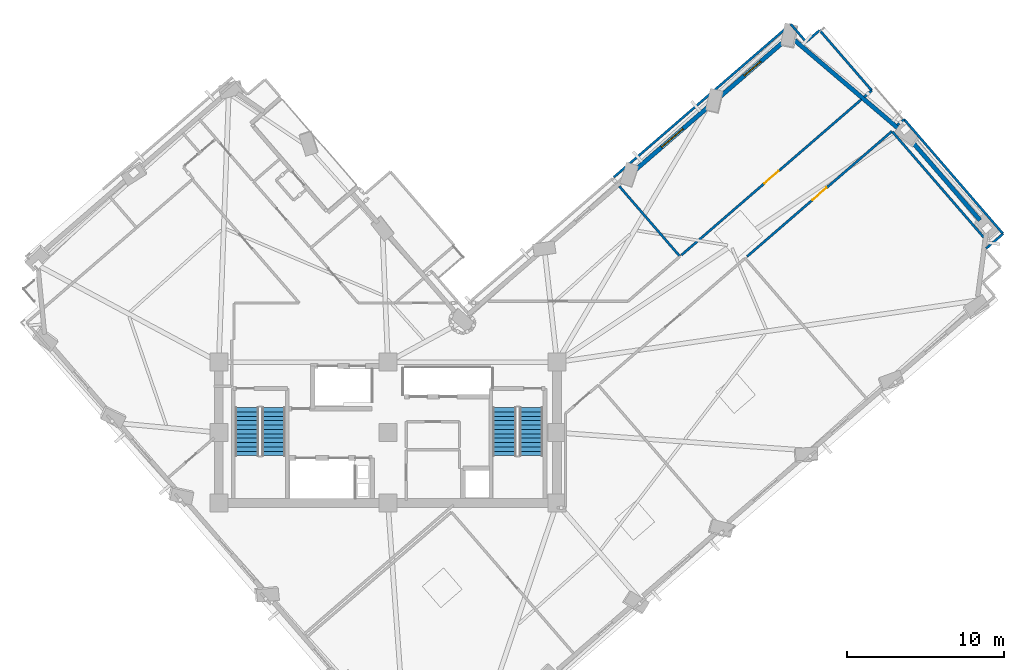
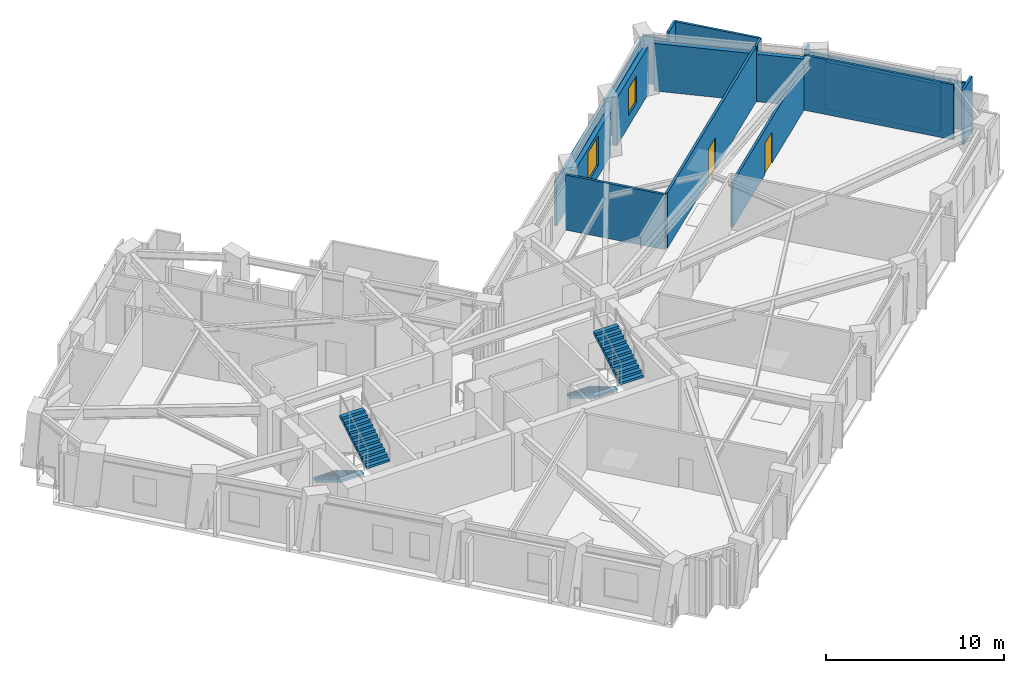
# One storey, part 9 of 14: 16 walls, 4 stair flights, 2 doors, 2 windows, 4 openings, 2 elements without a shape of their own.
"""IFC4 building model written with IfcOpenShell, lengths in metres."""

from ifc_helpers import new_model, si_unit, direction, frame, frame_2d, origin, place, context, subcontext, project, spatial, polyline, rectangle, outline, extrude, material, layer, layer_set, type_object, element, fill, aggregate, save


model = new_model("IFC4")

# Units and contexts
model_context = context("Model", 3, precision=1e-05, world=origin(), true_north=direction((0.0, 1.0)))
body_context = subcontext(model_context, "Body", "Model", "MODEL_VIEW")
ifc_project = project(units=[si_unit("LENGTHUNIT", "METRE"), si_unit("AREAUNIT", "SQUARE_METRE"), si_unit("VOLUMEUNIT", "CUBIC_METRE"), si_unit("PLANEANGLEUNIT", "RADIAN"), si_unit("MASSUNIT", "GRAM", prefix="KILO")], contexts=[model_context])

# Site, building, storey
site_placement = place(None, origin())
site = spatial("IfcSite", under=ifc_project, at=site_placement, CompositionType="ELEMENT")
building_placement = place(site_placement, origin())
building = spatial("IfcBuilding", under=site, at=building_placement, Name="Gaonmaruhae Medical Tower", CompositionType="ELEMENT")
storey_placement = place(building_placement, frame((0.0, 0.0, 197.800048828125)))
storey = spatial("IfcBuildingStorey", under=building, at=storey_placement, Name="L47", CompositionType="ELEMENT", Elevation=197.800048828125)

# Walls
ifc_material_1 = material(Name="Precast concrete C45/55", Category="concrete")
ifc_layer_1 = layer(ifc_material_1, 0.280029296875)
ifc_layer_set_1 = layer_set([ifc_layer_1], Name="Precast concrete C45/55")
wall_type_1 = type_object("IfcWallType", Name="EW-280 Upper Precast Masonry-Frame Facade Wall", PredefinedType="SOLIDWALL", material=ifc_layer_set_1)
wall_1_placement = place(storey_placement, frame((58.156494140625, 31.02978515625, 0.0), z_axis=(0.0, 0.0, 1.0), x_axis=(0.654086255928, -0.756419969201, 0.0)))
element("IfcWall", 1, at=wall_1_placement, inside=storey, type_object=wall_type_1, Name="L47 Precast Masonry-Frame Wall E01-E02", PredefinedType="SOLIDWALL", context=body_context, shape_type="SweptSolid", body=[
    extrude(rectangle(XDim=6.83984375, YDim=0.280029296875, at=frame_2d((3.419921875, 0.0))), origin(), (0.0, 0.0, 1.0), 3.264892578125),
])
wall_2_placement = place(storey_placement, frame((50.7275390625, 37.403564453125, 0.0), z_axis=(0.0, 0.0, 1.0), x_axis=(0.761999294939, -0.647577852086, 0.0)))
element("IfcWall", 2, at=wall_2_placement, inside=storey, type_object=wall_type_1, Name="L47 Precast Masonry-Frame Wall E02-E03", PredefinedType="SOLIDWALL", context=body_context, shape_type="SweptSolid", body=[
    extrude(rectangle(XDim=8.837890625, YDim=0.280029296875, at=frame_2d((4.4189453125, 0.0))), origin(), (0.0, 0.0, 1.0), 3.264892578125),
])

# Wall, opening, window
wall_3_placement = place(storey_placement, frame((46.049560546875, 33.780517578125, 0.0), z_axis=(0.0, 0.0, 1.0), x_axis=(0.756433845173, 0.654070208675, 0.0)))
wall_3 = element("IfcWall", 3, at=wall_3_placement, inside=storey, type_object=wall_type_1, Name="L47 Precast Masonry-Frame Wall E03-EN01", PredefinedType="SOLIDWALL", context=body_context, shape_type="SweptSolid", body=[
    extrude(rectangle(XDim=5.404541015625, YDim=0.280029296875, at=frame_2d((2.7021484375, 0.0))), origin(), (0.0, 0.0, 1.0), 3.264892578125),
])
opening_1_placement = place(wall_3_placement, frame((1.998046875, 0.0, 0.75)))
opening_1 = element("IfcOpeningElement", 4, at=opening_1_placement, cuts=wall_3, Name="Opening WN-03", PredefinedType="OPENING", context=body_context, shape_type="SweptSolid", body=[
    extrude(rectangle(XDim=1.39990234375, YDim=1.85009765625, at=frame_2d((0.699951171875, 0.925048828125))), frame((0.0, 0.14990234375, 0.0), z_axis=(0.0, -1.0, 0.0), x_axis=(1.0, 0.0, 0.0)), (0.0, 0.0, 1.0), 0.300048828125),
])
ifc_material_2 = material(Name="Anodised aluminium and Low-E double glazing", Category="aluminium")
window_type_1 = type_object("IfcWindowType", Name="WN-03 Isolation Ward Punched Window 1400x1850", PartitioningType="SINGLE_PANEL", PredefinedType="WINDOW", material=ifc_material_2)
window_1_placement = place(opening_1_placement, origin())
window_1 = element("IfcWindow", 5, at=window_1_placement, inside=storey, type_object=window_type_1, Name="L47 Modular Facade Window E03", OverallHeight=1.85009765625, OverallWidth=1.39990234375, PartitioningType="SINGLE_PANEL", PredefinedType="WINDOW", context=body_context, shape_type="SweptSolid", body=[
    extrude(rectangle(XDim=1.39990234375, YDim=1.85009765625, at=frame_2d((0.699951171875, 0.925048828125))), frame((0.0, 0.030029296875, 0.0), z_axis=(0.0, -1.0, 0.0), x_axis=(1.0, 0.0, 0.0)), (0.0, 0.0, 1.0), 0.06005859375),
])
fill(opening_1, window_1)

wall_4_placement = place(storey_placement, frame((40.6123046875, 29.078857421875, 0.0), z_axis=(0.0, 0.0, 1.0), x_axis=(0.75642346897, 0.654082208589, 0.0)))
wall_4 = element("IfcWall", 6, at=wall_4_placement, inside=storey, type_object=wall_type_1, Name="L47 Precast Masonry-Frame Wall EN01-EN02", PredefinedType="SOLIDWALL", context=body_context, shape_type="SweptSolid", body=[
    extrude(rectangle(XDim=6.226318359375, YDim=0.280029296875, at=frame_2d((3.11328125, 0.0))), origin(), (0.0, 0.0, 1.0), 3.06494140625),
])
opening_2_placement = place(wall_4_placement, frame((2.21044921875, 0.0, 0.75)))
opening_2 = element("IfcOpeningElement", 7, at=opening_2_placement, cuts=wall_4, Name="Opening WN-04", PredefinedType="OPENING", context=body_context, shape_type="SweptSolid", body=[
    extrude(rectangle(XDim=1.800048828125, YDim=2.050048828125, at=frame_2d((0.89990234375, 1.02490234375))), frame((0.0, 0.14990234375, 0.0), z_axis=(0.0, -1.0, 0.0), x_axis=(1.0, 0.0, 0.0)), (0.0, 0.0, 1.0), 0.300048828125),
])
window_type_2 = type_object("IfcWindowType", Name="WN-04 Clinic & Consult Punched Window 1800x2050", PartitioningType="SINGLE_PANEL", PredefinedType="WINDOW", material=ifc_material_2)
window_2_placement = place(opening_2_placement, origin())
window_2 = element("IfcWindow", 8, at=window_2_placement, inside=storey, type_object=window_type_2, Name="L47 Modular Facade Window EN01", OverallHeight=2.050048828125, OverallWidth=1.800048828125, PartitioningType="SINGLE_PANEL", PredefinedType="WINDOW", context=body_context, shape_type="SweptSolid", body=[
    extrude(rectangle(XDim=1.800048828125, YDim=2.050048828125, at=frame_2d((0.89990234375, 1.02490234375))), frame((0.0, 0.030029296875, 0.0), z_axis=(0.0, -1.0, 0.0), x_axis=(1.0, 0.0, 0.0)), (0.0, 0.0, 1.0), 0.06005859375),
])
fill(opening_2, window_2)

# Wall, opening, door
ifc_material_3 = material(Name="Gypsum board partition", Category="gypsum")
ifc_layer_2 = layer(ifc_material_3, 0.14990234375)
ifc_layer_set_2 = layer_set([ifc_layer_2], Name="Gypsum board partition")
wall_type_2 = type_object("IfcWallType", Name="PW-150 Rated Clinical Corridor Partition", PredefinedType="PARTITIONING", material=ifc_layer_set_2)
wall_5_placement = place(storey_placement, frame((47.740966796875, 23.5439453125, 0.0), z_axis=(0.0, 0.0, 1.0), x_axis=(0.756471721777, 0.654026401723, 0.0)))
wall_5 = element("IfcWall", 9, at=wall_5_placement, inside=storey, type_object=wall_type_2, Name="L47 Interior Partition L47-SUP04-27", PredefinedType="PARTITIONING", context=body_context, shape_type="SweptSolid", body=[
    extrude(rectangle(XDim=12.23974609375, YDim=0.14990234375, at=frame_2d((6.119873046875, 0.0))), origin(), (0.0, 0.0, 1.0), 3.06494140625),
])
opening_3_placement = place(wall_5_placement, frame((5.519775390625, 0.0, 0.0)))
opening_3 = element("IfcOpeningElement", 10, at=opening_3_placement, cuts=wall_5, Name="Opening CD-02", PredefinedType="OPENING", context=body_context, shape_type="SweptSolid", body=[
    extrude(rectangle(XDim=1.199951171875, YDim=2.14990234375, at=frame_2d((0.60009765625, 1.074951171875))), frame((0.0, 0.0849609375, 0.0), z_axis=(0.0, -1.0, 0.0), x_axis=(1.0, 0.0, 0.0)), (0.0, 0.0, 1.0), 0.169921875),
])
ifc_material_4 = material(Name="Antimicrobial laminate timber fire door", Category="wood")
door_type = type_object("IfcDoorType", Name="CD-02 Clinical Treatment & Procedure Door 1200x2150", OperationType="NOTDEFINED", PredefinedType="DOOR", material=ifc_material_4)
door_1_placement = place(opening_3_placement, origin())
door_1 = element("IfcDoor", 11, at=door_1_placement, inside=storey, type_object=door_type, Name="L47 Clinical Biomedical Charting Office Door", OperationType="SINGLE_SWING_LEFT", OverallHeight=2.14990234375, OverallWidth=1.199951171875, PredefinedType="DOOR", context=body_context, shape_type="SweptSolid", body=[
    extrude(rectangle(XDim=1.199951171875, YDim=2.14990234375, at=frame_2d((0.60009765625, 1.074951171875))), frame((0.0, 0.02490234375, 0.0), z_axis=(0.0, -1.0, 0.0), x_axis=(1.0, 0.0, 0.0)), (0.0, 0.0, 1.0), 0.050048828125),
])
fill(opening_3, door_1)

# Walls
wall_6_placement = place(storey_placement, frame((57.032958984375, 31.510986328125, 0.0), z_axis=(0.0, 0.0, 1.0), x_axis=(0.654058807324, -0.756443703498, 0.0)))
element("IfcWall", 12, at=wall_6_placement, inside=storey, type_object=wall_type_2, Name="L47 Interior Partition L47-SUP04-28", PredefinedType="PARTITIONING", context=body_context, shape_type="SweptSolid", body=[
    extrude(rectangle(XDim=8.918212890625, YDim=0.14990234375, at=frame_2d((4.458984375, 0.0))), origin(), (0.0, 0.0, 1.0), 3.780029296875),
])
wall_7_placement = place(storey_placement, frame((39.5810546875, 28.034912109375, 0.0), z_axis=(0.0, 0.0, 1.0), x_axis=(0.654029596341, -0.75646895978, 0.0)))
element("IfcWall", 13, at=wall_7_placement, inside=storey, type_object=wall_type_2, Name="L47 Interior Partition L47-IE01-49", PredefinedType="PARTITIONING", context=body_context, shape_type="SweptSolid", body=[
    extrude(rectangle(XDim=5.9248046875, YDim=0.14990234375, at=frame_2d((2.96240234375, 0.0))), origin(), (0.0, 0.0, 1.0), 3.780029296875),
])
wall_8_placement = place(storey_placement, frame((51.51904296875, 37.25390625, 0.0), z_axis=(0.0, 0.0, 1.0), x_axis=(0.756557971083, 0.653926629211, 0.0)))
element("IfcWall", 14, at=wall_8_placement, inside=storey, type_object=wall_type_2, Name="L47 Interior Partition L47-IE02-52", PredefinedType="PARTITIONING", context=body_context, shape_type="SweptSolid", body=[
    extrude(rectangle(XDim=1.139404296875, YDim=0.14990234375, at=frame_2d((0.56982421875, 0.0))), origin(), (0.0, 0.0, 1.0), 3.780029296875),
])
wall_9_placement = place(storey_placement, frame((52.381103515625, 37.9990234375, 0.0), z_axis=(0.0, 0.0, 1.0), x_axis=(0.654044384072, -0.756456174318, 0.0)))
element("IfcWall", 15, at=wall_9_placement, inside=storey, type_object=wall_type_2, Name="L47 Interior Partition L47-IE02-53", PredefinedType="PARTITIONING", context=body_context, shape_type="SweptSolid", body=[
    extrude(rectangle(XDim=5.089599609375, YDim=0.14990234375, at=frame_2d((2.544921875, 0.0))), origin(), (0.0, 0.0, 1.0), 3.780029296875),
])
wall_10_placement = place(storey_placement, frame((55.7099609375, 34.14892578125, 0.0), z_axis=(0.0, 0.0, 1.0), x_axis=(-0.756771493319, -0.653679513906, 0.0)))
element("IfcWall", 16, at=wall_10_placement, inside=storey, type_object=wall_type_2, Name="L47 Interior Partition L47-IE02-54", PredefinedType="PARTITIONING", context=body_context, shape_type="SweptSolid", body=[
    extrude(rectangle(XDim=0.639404296875, YDim=0.14990234375, at=frame_2d((0.31982421875, 0.0))), origin(), (0.0, 0.0, 1.0), 3.780029296875),
])

# Wall, opening, door
wall_11_placement = place(storey_placement, frame((55.050048828125, 33.5791015625, 0.0), z_axis=(0.0, 0.0, 1.0), x_axis=(-0.756410615278, -0.654097073144, 0.0)))
wall_11 = element("IfcWall", 17, at=wall_11_placement, inside=storey, type_object=wall_type_2, Name="L47 Interior Partition L47-IE02-55", PredefinedType="PARTITIONING", context=body_context, shape_type="SweptSolid", body=[
    extrude(rectangle(XDim=15.207275390625, YDim=0.14990234375, at=frame_2d((7.603515625, 0.0))), origin(), (0.0, 0.0, 1.0), 3.780029296875),
])
opening_4_placement = place(wall_11_placement, frame((7.003662109375, 0.0, 0.0)))
opening_4 = element("IfcOpeningElement", 18, at=opening_4_placement, cuts=wall_11, Name="Opening CD-02", PredefinedType="OPENING", context=body_context, shape_type="SweptSolid", body=[
    extrude(rectangle(XDim=1.199951171875, YDim=2.14990234375, at=frame_2d((0.60009765625, 1.074951171875))), frame((0.0, 0.0849609375, 0.0), z_axis=(0.0, -1.0, 0.0), x_axis=(1.0, 0.0, 0.0)), (0.0, 0.0, 1.0), 0.169921875),
])
door_2_placement = place(opening_4_placement, origin())
door_2 = element("IfcDoor", 19, at=door_2_placement, inside=storey, type_object=door_type, Name="L47 Acute Treatment Examination Room Door", OperationType="SINGLE_SWING_RIGHT", OverallHeight=2.14990234375, OverallWidth=1.199951171875, PredefinedType="DOOR", context=body_context, shape_type="SweptSolid", body=[
    extrude(rectangle(XDim=1.199951171875, YDim=2.14990234375, at=frame_2d((0.60009765625, 1.074951171875))), frame((0.0, 0.02490234375, 0.0), z_axis=(0.0, -1.0, 0.0), x_axis=(1.0, 0.0, 0.0)), (0.0, 0.0, 1.0), 0.050048828125),
])
fill(opening_4, door_2)

# Walls
wall_12_placement = place(storey_placement, frame((39.237060546875, 28.615966796875, 0.0), z_axis=(0.0, 0.0, 1.0), x_axis=(0.756425666374, 0.654079667357, 0.0)))
element("IfcWall", 20, at=wall_12_placement, inside=storey, type_object=wall_type_2, Name="L47 Interior Partition L47-IE02-56", PredefinedType="PARTITIONING", context=body_context, shape_type="SweptSolid", body=[
    extrude(rectangle(XDim=14.93994140625, YDim=0.14990234375, at=frame_2d((7.469970703125, 0.0))), origin(), (0.0, 0.0, 1.0), 3.06494140625),
])
wall_13_placement = place(storey_placement, frame((50.5380859375, 38.387939453125, 0.0), z_axis=(0.0, 0.0, 1.0), x_axis=(0.654217385738, -0.756306559669, 0.0)))
element("IfcWall", 21, at=wall_13_placement, inside=storey, type_object=wall_type_2, Name="L47 Interior Partition L47-IE02-57", PredefinedType="PARTITIONING", context=body_context, shape_type="SweptSolid", body=[
    extrude(rectangle(XDim=1.49951171875, YDim=0.14990234375, at=frame_2d((0.749755859375, 0.0))), origin(), (0.0, 0.0, 1.0), 3.264892578125),
])
wall_14_placement = place(storey_placement, frame((57.77490234375, 32.31201171875, 0.0), z_axis=(0.0, 0.0, 1.0), x_axis=(0.654078543908, -0.756426637817, 0.0)))
element("IfcWall", 22, at=wall_14_placement, inside=storey, type_object=wall_type_2, Name="L47 Interior Partition L47-RM06-95", PredefinedType="PARTITIONING", context=body_context, shape_type="SweptSolid", body=[
    extrude(rectangle(XDim=9.67041015625, YDim=0.14990234375, at=frame_2d((4.835205078125, 0.0))), origin(), (0.0, 0.0, 1.0), 3.264892578125),
])
wall_15_placement = place(storey_placement, frame((64.10009765625, 24.9970703125, 0.0), z_axis=(0.0, 0.0, 1.0), x_axis=(-0.756803900223, -0.653641994219, 0.0)))
element("IfcWall", 23, at=wall_15_placement, inside=storey, type_object=wall_type_2, Name="L47 Interior Partition L47-RM06-96", PredefinedType="PARTITIONING", context=body_context, shape_type="SweptSolid", body=[
    extrude(rectangle(XDim=1.4365234375, YDim=0.14990234375, at=frame_2d((0.71826171875, 0.0))), origin(), (0.0, 0.0, 1.0), 3.780029296875),
])
wall_16_placement = place(storey_placement, frame((57.339111328125, 31.93505859375, 0.0), z_axis=(0.0, 0.0, 1.0), x_axis=(0.756317842967, 0.654204341479, 0.0)))
element("IfcWall", 24, at=wall_16_placement, inside=storey, type_object=wall_type_2, Name="L47 Interior Partition L47-RM06-97", PredefinedType="PARTITIONING", context=body_context, shape_type="SweptSolid", body=[
    extrude(rectangle(XDim=0.576171875, YDim=0.14990234375, at=frame_2d((0.2880859375, 0.0))), origin(), (0.0, 0.0, 1.0), 3.780029296875),
])

# Stair, stair flights
ifc_material_5 = material(Name="Concrete C40/50", Category="concrete")
stair_type = type_object("IfcStairType", Name="ST-T1 Primary Core Escape Dogleg Stair", PredefinedType="TWO_QUARTER_TURN_STAIR", material=ifc_material_5)
stair_1_placement = place(storey_placement, origin())
stair_1 = element("IfcStair", 25, at=stair_1_placement, inside=storey, type_object=stair_type, Name="L47 Protected Escape Stair ST-01", PredefinedType="TWO_QUARTER_TURN_STAIR")
stair_flight_type = type_object("IfcStairFlightType", Name="SF-T1 Primary Core Precast Stair Flight", PredefinedType="STRAIGHT", material=ifc_material_5)
stair_flight_1_placement = place(storey_placement, frame((15.800048828125, 13.89990234375, 0.0), z_axis=(0.0, 0.0, 1.0), x_axis=(0.0, -1.0, 0.0)))
stair_flight_1 = element("IfcStairFlight", 26, at=stair_flight_1_placement, type_object=stair_flight_type, Name="ST-01 flight 1", NumberOfRisers=12, NumberOfTreads=11, PredefinedType="STRAIGHT", RiserHeight=0.166666667, TreadLength=0.28, context=body_context, shape_type="SweptSolid", body=[
    extrude(outline(polyline([(0.0, 0.0), (0.0, 0.166748046875), (0.280029296875, 0.166748046875), (0.280029296875, 0.333251953125), (0.56005859375, 0.333251953125), (0.56005859375, 0.5), (0.840087890625, 0.5), (0.840087890625, 0.666748046875), (1.1201171875, 0.666748046875), (1.1201171875, 0.833251953125), (1.39990234375, 0.833251953125), (1.39990234375, 1.0), (1.679931640625, 1.0), (1.679931640625, 1.166748046875), (1.9599609375, 1.166748046875), (1.9599609375, 1.333251953125), (2.239990234375, 1.333251953125), (2.239990234375, 1.5), (2.52001953125, 1.5), (2.52001953125, 1.666748046875), (2.800048828125, 1.666748046875), (2.800048828125, 1.833251953125), (3.080078125, 1.833251953125), (3.080078125, 2.0), (3.080078125, 1.658935546875), (0.29296875, 0.0), (0.0, 0.0)])), frame((0.0, 0.75, 0.0), z_axis=(0.0, -1.0, 0.0), x_axis=(1.0, 0.0, 0.0)), (0.0, 0.0, 1.0), 1.5),
])
stair_flight_2_placement = place(storey_placement, frame((17.5, 10.820068359375, 2.0), z_axis=(0.0, 0.0, 1.0), x_axis=(0.0, 1.0, 0.0)))
stair_flight_2 = element("IfcStairFlight", 27, at=stair_flight_2_placement, type_object=stair_flight_type, Name="ST-01 flight 2", NumberOfRisers=12, NumberOfTreads=11, PredefinedType="STRAIGHT", RiserHeight=0.166666667, TreadLength=0.28, context=body_context, shape_type="SweptSolid", body=[
    extrude(outline(polyline([(0.0, 0.0), (0.0, 0.166748046875), (0.280029296875, 0.166748046875), (0.280029296875, 0.333251953125), (0.56005859375, 0.333251953125), (0.56005859375, 0.5), (0.840087890625, 0.5), (0.840087890625, 0.666748046875), (1.1201171875, 0.666748046875), (1.1201171875, 0.833251953125), (1.39990234375, 0.833251953125), (1.39990234375, 1.0), (1.679931640625, 1.0), (1.679931640625, 1.166748046875), (1.9599609375, 1.166748046875), (1.9599609375, 1.333251953125), (2.239990234375, 1.333251953125), (2.239990234375, 1.5), (2.52001953125, 1.5), (2.52001953125, 1.666748046875), (2.800048828125, 1.666748046875), (2.800048828125, 1.833251953125), (3.080078125, 1.833251953125), (3.080078125, 2.0), (3.080078125, 1.658935546875), (0.29296875, 0.0), (0.0, 0.0)])), frame((0.0, 0.75, 0.0), z_axis=(0.0, -1.0, 0.0), x_axis=(1.0, 0.0, 0.0)), (0.0, 0.0, 1.0), 1.5),
])
aggregate(stair_1, [stair_flight_1, stair_flight_2])

stair_2_placement = place(storey_placement, origin())
stair_2 = element("IfcStair", 28, at=stair_2_placement, inside=storey, type_object=stair_type, Name="L47 Protected Escape Stair ST-02", PredefinedType="TWO_QUARTER_TURN_STAIR")
stair_flight_3_placement = place(storey_placement, frame((32.25, 13.89990234375, 0.0), z_axis=(0.0, 0.0, 1.0), x_axis=(0.0, -1.0, 0.0)))
stair_flight_3 = element("IfcStairFlight", 29, at=stair_flight_3_placement, type_object=stair_flight_type, Name="ST-02 flight 1", NumberOfRisers=12, NumberOfTreads=11, PredefinedType="STRAIGHT", RiserHeight=0.166666667, TreadLength=0.28, context=body_context, shape_type="SweptSolid", body=[
    extrude(outline(polyline([(0.0, 0.0), (0.0, 0.166748046875), (0.280029296875, 0.166748046875), (0.280029296875, 0.333251953125), (0.56005859375, 0.333251953125), (0.56005859375, 0.5), (0.840087890625, 0.5), (0.840087890625, 0.666748046875), (1.1201171875, 0.666748046875), (1.1201171875, 0.833251953125), (1.39990234375, 0.833251953125), (1.39990234375, 1.0), (1.679931640625, 1.0), (1.679931640625, 1.166748046875), (1.9599609375, 1.166748046875), (1.9599609375, 1.333251953125), (2.239990234375, 1.333251953125), (2.239990234375, 1.5), (2.52001953125, 1.5), (2.52001953125, 1.666748046875), (2.800048828125, 1.666748046875), (2.800048828125, 1.833251953125), (3.080078125, 1.833251953125), (3.080078125, 2.0), (3.080078125, 1.658935546875), (0.29296875, 0.0), (0.0, 0.0)])), frame((0.0, 0.75, 0.0), z_axis=(0.0, -1.0, 0.0), x_axis=(1.0, 0.0, 0.0)), (0.0, 0.0, 1.0), 1.5),
])
stair_flight_4_placement = place(storey_placement, frame((33.949951171875, 10.820068359375, 2.0), z_axis=(0.0, 0.0, 1.0), x_axis=(0.0, 1.0, 0.0)))
stair_flight_4 = element("IfcStairFlight", 30, at=stair_flight_4_placement, type_object=stair_flight_type, Name="ST-02 flight 2", NumberOfRisers=12, NumberOfTreads=11, PredefinedType="STRAIGHT", RiserHeight=0.166666667, TreadLength=0.28, context=body_context, shape_type="SweptSolid", body=[
    extrude(outline(polyline([(0.0, 0.0), (0.0, 0.166748046875), (0.280029296875, 0.166748046875), (0.280029296875, 0.333251953125), (0.56005859375, 0.333251953125), (0.56005859375, 0.5), (0.840087890625, 0.5), (0.840087890625, 0.666748046875), (1.1201171875, 0.666748046875), (1.1201171875, 0.833251953125), (1.39990234375, 0.833251953125), (1.39990234375, 1.0), (1.679931640625, 1.0), (1.679931640625, 1.166748046875), (1.9599609375, 1.166748046875), (1.9599609375, 1.333251953125), (2.239990234375, 1.333251953125), (2.239990234375, 1.5), (2.52001953125, 1.5), (2.52001953125, 1.666748046875), (2.800048828125, 1.666748046875), (2.800048828125, 1.833251953125), (3.080078125, 1.833251953125), (3.080078125, 2.0), (3.080078125, 1.658935546875), (0.29296875, 0.0), (0.0, 0.0)])), frame((0.0, 0.75, 0.0), z_axis=(0.0, -1.0, 0.0), x_axis=(1.0, 0.0, 0.0)), (0.0, 0.0, 1.0), 1.5),
])
aggregate(stair_2, [stair_flight_3, stair_flight_4])

save(model, "model.ifc")
